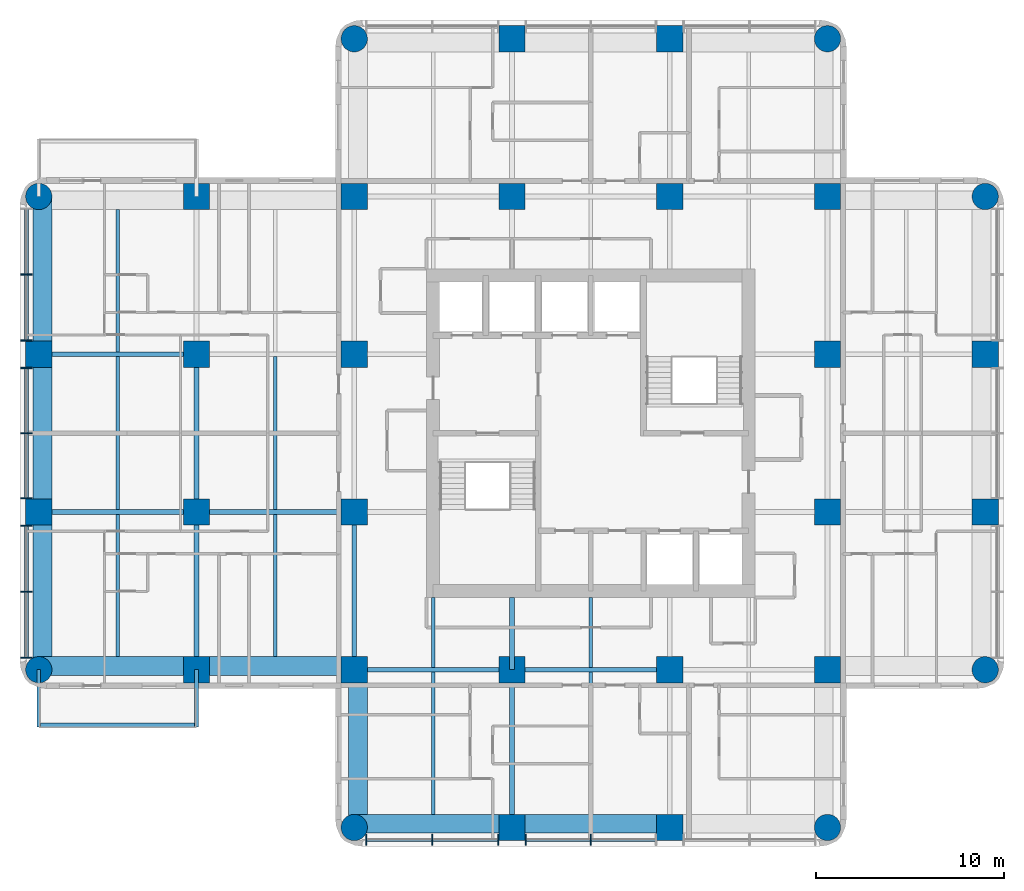
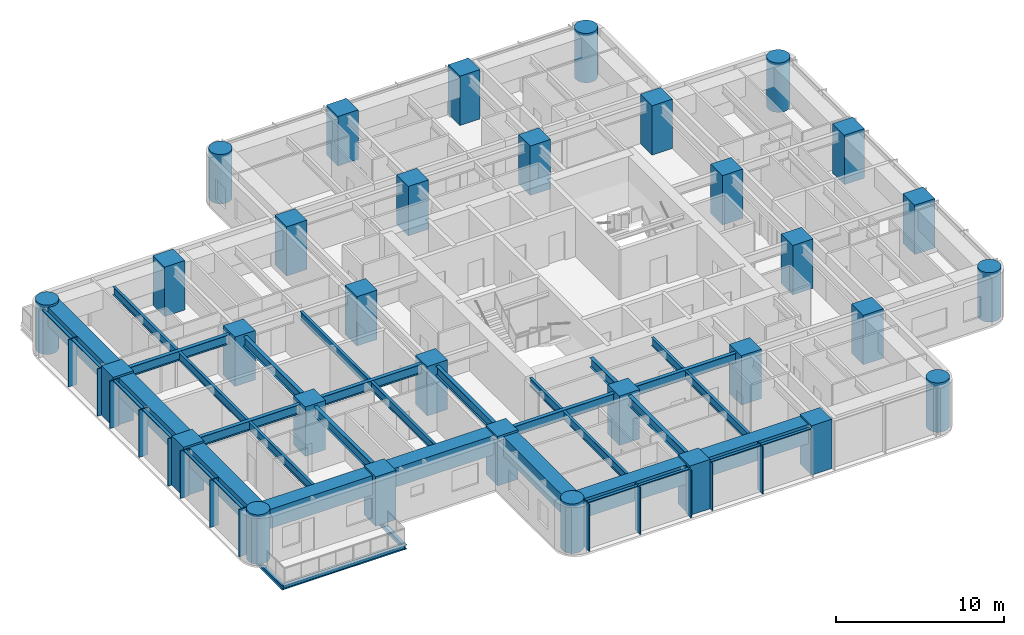
# One storey, part 1 of 11: 32 columns, 30 beams, 23 members, 2 elements without a shape of their own.
"""IFC4 building model written with IfcOpenShell, lengths in metres."""

from ifc_helpers import new_model, si_unit, direction, frame, origin, origin_2d, place, context, subcontext, project, spatial, rectangle, circle, i_section, extrude, material, material_profile, profile_set, type_object, element, aggregate, save


model = new_model("IFC4")

# Units and contexts
model_context = context("Model", 3, precision=1e-05, world=origin(), true_north=direction((0.0, 1.0)))
body_context = subcontext(model_context, "Body", "Model", "MODEL_VIEW")
ifc_project = project(units=[si_unit("LENGTHUNIT", "METRE"), si_unit("AREAUNIT", "SQUARE_METRE"), si_unit("VOLUMEUNIT", "CUBIC_METRE"), si_unit("PLANEANGLEUNIT", "RADIAN"), si_unit("MASSUNIT", "GRAM", prefix="KILO")], contexts=[model_context])

# Site, building, storey
site_placement = place(None, origin())
site = spatial("IfcSite", under=ifc_project, at=site_placement, CompositionType="ELEMENT")
building_placement = place(site_placement, origin())
building = spatial("IfcBuilding", under=site, at=building_placement, Name="Torre Alcanfor", CompositionType="ELEMENT")
storey_placement = place(building_placement, frame((0.0, 0.0, 201.300048828125)))
storey = spatial("IfcBuildingStorey", under=building, at=storey_placement, Name="L52", CompositionType="ELEMENT", Elevation=201.300048828125)

# Columns
ifc_material_1 = material(Name="Concrete f'c 70 MPa", Category="concrete")
ifc_material_profile_1 = material_profile(ifc_material_1, rectangle(XDim=1.39990234375, YDim=1.39990234375, at=origin_2d()), Name="1400x1400")
ifc_profile_set_1 = profile_set([ifc_material_profile_1], Name="Concrete f'c 70 MPa")
column_type_1 = type_object("IfcColumnType", Name="RC column 1400x1400 f'c70", PredefinedType="COLUMN", material=ifc_profile_set_1)
for number, where, z_axis, x_axis, name in (
    (1, (0.0, 25.199951171875, 0.0), (0.0, 0.0, 1.0), (1.0, 0.0, 0.0), "Column 1/F L52"),
    (2, (0.0, 33.60009765625, 0.0), (0.0, 0.0, 1.0), (1.0, 0.0, 0.0), "Column 1/G L52"),
    (3, (8.39990234375, 16.800048828125, 0.0), (0.0, 0.0, 1.0), (1.0, 0.0, 0.0), "Column 2/E L52"),
    (4, (8.39990234375, 25.199951171875, 0.0), (0.0, 0.0, 1.0), (1.0, 0.0, 0.0), "Column 2/F L52"),
    (5, (8.39990234375, 33.60009765625, 0.0), (0.0, 0.0, 1.0), (1.0, 0.0, 0.0), "Column 2/G L52"),
    (6, (8.39990234375, 42.0, 0.0), (0.0, 0.0, 1.0), (1.0, 0.0, 0.0), "Column 2/H L52"),
    (7, (16.800048828125, 16.800048828125, 0.0), (0.0, 0.0, 1.0), (1.0, 0.0, 0.0), "Column 3/E L52"),
    (8, (16.800048828125, 25.199951171875, 0.0), (0.0, 0.0, 1.0), (1.0, 0.0, 0.0), "Column 3/F L52"),
    (9, (16.800048828125, 33.60009765625, 0.0), (0.0, 0.0, 1.0), (1.0, 0.0, 0.0), "Column 3/G L52"),
    (10, (16.800048828125, 42.0, 0.0), (0.0, 0.0, 1.0), (1.0, 0.0, 0.0), "Column 3/H L52"),
    (11, (25.199951171875, 8.39990234375, 0.0), (0.0, 0.0, 1.0), (1.0, 0.0, 0.0), "Column 4/D L52"),
    (12, (25.199951171875, 16.800048828125, 0.0), (0.0, 0.0, 1.0), (1.0, 0.0, 0.0), "Column 4/E L52"),
    (13, (25.199951171875, 42.0, 0.0), (0.0, 0.0, 1.0), (1.0, 0.0, 0.0), "Column 4/H L52"),
    (14, (25.199951171875, 50.39990234375, 0.0), (0.0, 0.0, 1.0), (1.0, 0.0, 0.0), "Column 4/J L52"),
    (15, (33.60009765625, 8.39990234375, 0.0), (0.0, 0.0, 1.0), (1.0, 0.0, 0.0), "Column 5/D L52"),
    (16, (33.60009765625, 16.800048828125, 0.0), (0.0, 0.0, 1.0), (1.0, 0.0, 0.0), "Column 5/E L52"),
    (17, (33.60009765625, 42.0, 0.0), (0.0, 0.0, 1.0), (1.0, 0.0, 0.0), "Column 5/H L52"),
    (18, (33.60009765625, 50.39990234375, 0.0), (0.0, 0.0, 1.0), (1.0, 0.0, 0.0), "Column 5/J L52"),
    (19, (42.0, 16.800048828125, 0.0), (0.0, 0.0, 1.0), (1.0, 0.0, 0.0), "Column 6/E L52"),
    (20, (42.0, 25.199951171875, 0.0), (0.0, 0.0, 1.0), (1.0, 0.0, 0.0), "Column 6/F L52"),
    (21, (42.0, 33.60009765625, 0.0), (0.0, 0.0, 1.0), (1.0, 0.0, 0.0), "Column 6/G L52"),
    (22, (42.0, 42.0, 0.0), (0.0, 0.0, 1.0), (1.0, 0.0, 0.0), "Column 6/H L52"),
    (23, (50.39990234375, 25.199951171875, 0.0), (0.0, 0.0, 1.0), (1.0, 0.0, 0.0), "Column 7/F L52"),
    (24, (50.39990234375, 33.60009765625, 0.0), (0.0, 0.0, 1.0), (1.0, 0.0, 0.0), "Column 7/G L52"),
):
    element("IfcColumn", number, at=place(storey_placement, frame(where, z_axis=z_axis, x_axis=x_axis)), inside=storey, type_object=column_type_1, Name=name, PredefinedType="COLUMN", context=body_context, shape_type="SweptSolid", body=[
        extrude(rectangle(XDim=1.39990234375, YDim=1.39990234375, at=origin_2d()), origin(), (0.0, 0.0, 1.0), 3.599853515625),
    ])
ifc_material_2 = material(Name="Concrete f'c 70 MPa", Category="concrete")
ifc_material_profile_2 = material_profile(ifc_material_2, circle(Radius=0.699951171875, at=origin_2d()), Name="D1400")
ifc_profile_set_2 = profile_set([ifc_material_profile_2], Name="Concrete f'c 70 MPa")
column_type_2 = type_object("IfcColumnType", Name="RC column D1400 f'c70", PredefinedType="COLUMN", material=ifc_profile_set_2)
for number, where, z_axis, x_axis, name in (
    (25, (0.0, 16.800048828125, 0.0), (0.0, 0.0, 1.0), (1.0, 0.0, 0.0), "Column 1/E L52"),
    (26, (0.0, 42.0, 0.0), (0.0, 0.0, 1.0), (1.0, 0.0, 0.0), "Column 1/H L52"),
    (27, (16.800048828125, 8.39990234375, 0.0), (0.0, 0.0, 1.0), (1.0, 0.0, 0.0), "Column 3/D L52"),
    (28, (16.800048828125, 50.39990234375, 0.0), (0.0, 0.0, 1.0), (1.0, 0.0, 0.0), "Column 3/J L52"),
    (29, (42.0, 8.39990234375, 0.0), (0.0, 0.0, 1.0), (1.0, 0.0, 0.0), "Column 6/D L52"),
    (30, (42.0, 50.39990234375, 0.0), (0.0, 0.0, 1.0), (1.0, 0.0, 0.0), "Column 6/J L52"),
    (31, (50.39990234375, 16.800048828125, 0.0), (0.0, 0.0, 1.0), (1.0, 0.0, 0.0), "Column 7/E L52"),
    (32, (50.39990234375, 42.0, 0.0), (0.0, 0.0, 1.0), (1.0, 0.0, 0.0), "Column 7/H L52"),
):
    element("IfcColumn", number, at=place(storey_placement, frame(where, z_axis=z_axis, x_axis=x_axis)), inside=storey, type_object=column_type_2, Name=name, PredefinedType="COLUMN", context=body_context, shape_type="SweptSolid", body=[
        extrude(circle(Radius=0.699951171875, at=origin_2d()), origin(), (0.0, 0.0, 1.0), 3.599853515625),
    ])

# Beams
ifc_material_3 = material(Name="Steel ASTM A992 Grade 50", Category="steel")
ifc_material_profile_3 = material_profile(ifc_material_3, i_section(OverallWidth=0.205322265625, OverallDepth=0.309814453125, WebThickness=0.00927734375, FlangeThickness=0.016357421875, at=origin_2d()), Name="W12x50")
ifc_profile_set_3 = profile_set([ifc_material_profile_3], Name="Steel ASTM A992 Grade 50")
beam_type_1 = type_object("IfcBeamType", Name="Balcony cantilever beam W12x50", PredefinedType="BEAM", material=ifc_profile_set_3)
for number, where, z_axis, x_axis, name in (
    (33, (8.39990234375, 16.800048828125, -0.35498046875), (0.0, -1.0, 0.0), (1.0, 0.0, 0.0), "Balcony cantilever beam L52-W1 1"),
    (34, (0.0, 16.800048828125, -0.35498046875), (0.0, -1.0, 0.0), (1.0, 0.0, 0.0), "Balcony cantilever beam L52-W1 2"),
):
    element("IfcBeam", number, at=place(storey_placement, frame(where, z_axis=z_axis, x_axis=x_axis)), inside=storey, type_object=beam_type_1, Name=name, PredefinedType="BEAM", context=body_context, shape_type="SweptSolid", body=[
        extrude(i_section(OverallWidth=0.205322265625, OverallDepth=0.309814453125, WebThickness=0.00927734375, FlangeThickness=0.016357421875, at=origin_2d()), origin(), (0.0, 0.0, 1.0), 3.050048828125),
    ])
ifc_material_4 = material(Name="Steel ASTM A992 Grade 50", Category="steel")
ifc_material_profile_4 = material_profile(ifc_material_4, i_section(OverallWidth=0.203369140625, OverallDepth=0.30224609375, WebThickness=0.007568359375, FlangeThickness=0.01318359375, at=origin_2d()), Name="W12x40")
ifc_profile_set_4 = profile_set([ifc_material_profile_4], Name="Steel ASTM A992 Grade 50")
beam_type_2 = type_object("IfcBeamType", Name="Balcony edge trimmer W12x40", PredefinedType="BEAM", material=ifc_profile_set_4)
beam_1_placement = place(storey_placement, frame((8.39990234375, 13.851806640625, -0.35107421875), z_axis=(-1.0, 0.0, 0.0), x_axis=(0.0, -1.0, 0.0)))
element("IfcBeam", 35, at=beam_1_placement, inside=storey, type_object=beam_type_2, Name="Balcony edge trimmer L52-W1", PredefinedType="BEAM", context=body_context, shape_type="SweptSolid", body=[
    extrude(i_section(OverallWidth=0.203369140625, OverallDepth=0.30224609375, WebThickness=0.007568359375, FlangeThickness=0.01318359375, at=origin_2d()), origin(), (0.0, 0.0, 1.0), 8.39990234375),
])

# Curtain wall, members
ifc_material_5 = material(Name="Aluminium and glass", Category="aluminium")
curtain_wall_type = type_object("IfcCurtainWallType", Name="CW-A unitised apartment glazing with vertical FIN", PredefinedType="NOTDEFINED", material=ifc_material_5)
curtain_wall_1_placement = place(storey_placement, origin())
curtain_wall_1 = element("IfcCurtainWall", 36, at=curtain_wall_1_placement, inside=storey, type_object=curtain_wall_type, Name="Curtain wall CW-A L52 2", PredefinedType="NOTDEFINED")
ifc_material_6 = material(Name="Bronze anodised aluminium", Category="aluminium")
ifc_material_profile_5 = material_profile(ifc_material_6, rectangle(XDim=0.60009765625, YDim=0.06494140625, at=origin_2d()), Name="CW-A mullion 65x600")
ifc_profile_set_5 = profile_set([ifc_material_profile_5], Name="Bronze anodised aluminium")
member_type_1 = type_object("IfcMemberType", Name="CW-A mullion with vertical FIN 65x600", PredefinedType="MULLION", material=ifc_profile_set_5)
member_1_placement = place(storey_placement, frame((-0.64990234375, 37.846435546875, 0.0), z_axis=(0.0, 0.0, 1.0), x_axis=(1.0, 0.0, 0.0)))
member_1 = element("IfcMember", 37, at=member_1_placement, type_object=member_type_1, Name="CW-A mullion 1.2", PredefinedType="MULLION", context=body_context, shape_type="SweptSolid", body=[
    extrude(rectangle(XDim=0.60009765625, YDim=0.06494140625, at=origin_2d()), origin(), (0.0, 0.0, 1.0), 3.449951171875),
])
member_2_placement = place(storey_placement, frame((-0.64990234375, 34.33740234375, 0.0), z_axis=(0.0, 0.0, 1.0), x_axis=(1.0, 0.0, 0.0)))
member_2 = element("IfcMember", 38, at=member_2_placement, type_object=member_type_1, Name="CW-A mullion 1.3", PredefinedType="MULLION", context=body_context, shape_type="SweptSolid", body=[
    extrude(rectangle(XDim=0.60009765625, YDim=0.06494140625, at=origin_2d()), origin(), (0.0, 0.0, 1.0), 3.449951171875),
])
member_3_placement = place(storey_placement, frame((-0.64990234375, 32.862548828125, 0.0), z_axis=(0.0, 0.0, 1.0), x_axis=(1.0, 0.0, 0.0)))
member_3 = element("IfcMember", 39, at=member_3_placement, type_object=member_type_1, Name="CW-A mullion 2.1", PredefinedType="MULLION", context=body_context, shape_type="SweptSolid", body=[
    extrude(rectangle(XDim=0.60009765625, YDim=0.06494140625, at=origin_2d()), origin(), (0.0, 0.0, 1.0), 3.449951171875),
])
member_4_placement = place(storey_placement, frame((-0.64990234375, 29.39990234375, 0.0), z_axis=(0.0, 0.0, 1.0), x_axis=(1.0, 0.0, 0.0)))
member_4 = element("IfcMember", 40, at=member_4_placement, type_object=member_type_1, Name="CW-A mullion 2.2", PredefinedType="MULLION", context=body_context, shape_type="SweptSolid", body=[
    extrude(rectangle(XDim=0.60009765625, YDim=0.06494140625, at=origin_2d()), origin(), (0.0, 0.0, 1.0), 3.449951171875),
])
member_5_placement = place(storey_placement, frame((-0.64990234375, 25.9375, 0.0), z_axis=(0.0, 0.0, 1.0), x_axis=(1.0, 0.0, 0.0)))
member_5 = element("IfcMember", 41, at=member_5_placement, type_object=member_type_1, Name="CW-A mullion 2.3", PredefinedType="MULLION", context=body_context, shape_type="SweptSolid", body=[
    extrude(rectangle(XDim=0.60009765625, YDim=0.06494140625, at=origin_2d()), origin(), (0.0, 0.0, 1.0), 3.449951171875),
])
member_6_placement = place(storey_placement, frame((-0.64990234375, 24.46240234375, 0.0), z_axis=(0.0, 0.0, 1.0), x_axis=(1.0, 0.0, 0.0)))
member_6 = element("IfcMember", 42, at=member_6_placement, type_object=member_type_1, Name="CW-A mullion 3.1", PredefinedType="MULLION", context=body_context, shape_type="SweptSolid", body=[
    extrude(rectangle(XDim=0.60009765625, YDim=0.06494140625, at=origin_2d()), origin(), (0.0, 0.0, 1.0), 3.449951171875),
])
member_7_placement = place(storey_placement, frame((-0.64990234375, 20.95361328125, 0.0), z_axis=(0.0, 0.0, 1.0), x_axis=(1.0, 0.0, 0.0)))
member_7 = element("IfcMember", 43, at=member_7_placement, type_object=member_type_1, Name="CW-A mullion 3.2", PredefinedType="MULLION", context=body_context, shape_type="SweptSolid", body=[
    extrude(rectangle(XDim=0.60009765625, YDim=0.06494140625, at=origin_2d()), origin(), (0.0, 0.0, 1.0), 3.449951171875),
])
member_8_placement = place(storey_placement, frame((-0.64990234375, 17.444580078125, 0.0), z_axis=(0.0, 0.0, 1.0), x_axis=(1.0, 0.0, 0.0)))
member_8 = element("IfcMember", 44, at=member_8_placement, type_object=member_type_1, Name="CW-A mullion 3.3", PredefinedType="MULLION", context=body_context, shape_type="SweptSolid", body=[
    extrude(rectangle(XDim=0.60009765625, YDim=0.06494140625, at=origin_2d()), origin(), (0.0, 0.0, 1.0), 3.449951171875),
])

curtain_wall_2_placement = place(storey_placement, origin())
curtain_wall_2 = element("IfcCurtainWall", 45, at=curtain_wall_2_placement, inside=storey, type_object=curtain_wall_type, Name="Curtain wall CW-A L52 5", PredefinedType="NOTDEFINED")
member_9_placement = place(storey_placement, frame((17.444580078125, 7.75, 0.0), z_axis=(0.0, 0.0, 1.0), x_axis=(0.0, 1.0, 0.0)))
member_9 = element("IfcMember", 46, at=member_9_placement, type_object=member_type_1, Name="CW-A mullion 1.1", PredefinedType="MULLION", context=body_context, shape_type="SweptSolid", body=[
    extrude(rectangle(XDim=0.60009765625, YDim=0.06494140625, at=origin_2d()), origin(), (0.0, 0.0, 1.0), 3.449951171875),
])
member_10_placement = place(storey_placement, frame((20.95361328125, 7.75, 0.0), z_axis=(0.0, 0.0, 1.0), x_axis=(0.0, 1.0, 0.0)))
member_10 = element("IfcMember", 47, at=member_10_placement, type_object=member_type_1, Name="CW-A mullion 1.2", PredefinedType="MULLION", context=body_context, shape_type="SweptSolid", body=[
    extrude(rectangle(XDim=0.60009765625, YDim=0.06494140625, at=origin_2d()), origin(), (0.0, 0.0, 1.0), 3.449951171875),
])
member_11_placement = place(storey_placement, frame((24.46240234375, 7.75, 0.0), z_axis=(0.0, 0.0, 1.0), x_axis=(0.0, 1.0, 0.0)))
member_11 = element("IfcMember", 48, at=member_11_placement, type_object=member_type_1, Name="CW-A mullion 1.3", PredefinedType="MULLION", context=body_context, shape_type="SweptSolid", body=[
    extrude(rectangle(XDim=0.60009765625, YDim=0.06494140625, at=origin_2d()), origin(), (0.0, 0.0, 1.0), 3.449951171875),
])
member_12_placement = place(storey_placement, frame((25.9375, 7.75, 0.0), z_axis=(0.0, 0.0, 1.0), x_axis=(0.0, 1.0, 0.0)))
member_12 = element("IfcMember", 49, at=member_12_placement, type_object=member_type_1, Name="CW-A mullion 2.1", PredefinedType="MULLION", context=body_context, shape_type="SweptSolid", body=[
    extrude(rectangle(XDim=0.60009765625, YDim=0.06494140625, at=origin_2d()), origin(), (0.0, 0.0, 1.0), 3.449951171875),
])
member_13_placement = place(storey_placement, frame((29.39990234375, 7.75, 0.0), z_axis=(0.0, 0.0, 1.0), x_axis=(0.0, 1.0, 0.0)))
member_13 = element("IfcMember", 50, at=member_13_placement, type_object=member_type_1, Name="CW-A mullion 2.2", PredefinedType="MULLION", context=body_context, shape_type="SweptSolid", body=[
    extrude(rectangle(XDim=0.60009765625, YDim=0.06494140625, at=origin_2d()), origin(), (0.0, 0.0, 1.0), 3.449951171875),
])

# Member
ifc_material_7 = material(Name="Extruded aluminium", Category="aluminium")
ifc_material_profile_6 = material_profile(ifc_material_7, rectangle(XDim=0.199951171875, YDim=0.06494140625, at=origin_2d()), Name="CW-A transom 200x65")
ifc_profile_set_6 = profile_set([ifc_material_profile_6], Name="Extruded aluminium")
member_type_2 = type_object("IfcMemberType", Name="CW-A transom 65x200", PredefinedType="USERDEFINED", material=ifc_profile_set_6)
member_14_placement = place(storey_placement, frame((-0.64990234375, 41.322998046875, 3.41748046875), z_axis=(0.0, -1.0, 0.0), x_axis=(1.0, 0.0, 0.0)))
member_14 = element("IfcMember", 51, at=member_14_placement, type_object=member_type_2, Name="CW-A transom 1.1.2", ObjectType="TRANSOM", PredefinedType="USERDEFINED", context=body_context, shape_type="SweptSolid", body=[
    extrude(rectangle(XDim=0.199951171875, YDim=0.06494140625, at=origin_2d()), origin(), (0.0, 0.0, 1.0), 3.444091796875),
])

member_15_placement = place(storey_placement, frame((-0.64990234375, 37.81396484375, 3.41748046875), z_axis=(0.0, -1.0, 0.0), x_axis=(1.0, 0.0, 0.0)))
member_15 = element("IfcMember", 52, at=member_15_placement, type_object=member_type_2, Name="CW-A transom 1.2.2", ObjectType="TRANSOM", PredefinedType="USERDEFINED", context=body_context, shape_type="SweptSolid", body=[
    extrude(rectangle(XDim=0.199951171875, YDim=0.06494140625, at=origin_2d()), origin(), (0.0, 0.0, 1.0), 3.44384765625),
])

member_16_placement = place(storey_placement, frame((-0.64990234375, 32.830078125, 3.41748046875), z_axis=(0.0, -1.0, 0.0), x_axis=(1.0, 0.0, 0.0)))
member_16 = element("IfcMember", 53, at=member_16_placement, type_object=member_type_2, Name="CW-A transom 2.1.2", ObjectType="TRANSOM", PredefinedType="USERDEFINED", context=body_context, shape_type="SweptSolid", body=[
    extrude(rectangle(XDim=0.199951171875, YDim=0.06494140625, at=origin_2d()), origin(), (0.0, 0.0, 1.0), 3.3974609375),
])

member_17_placement = place(storey_placement, frame((-0.64990234375, 29.367431640625, 3.41748046875), z_axis=(0.0, -1.0, 0.0), x_axis=(1.0, 0.0, 0.0)))
member_17 = element("IfcMember", 54, at=member_17_placement, type_object=member_type_2, Name="CW-A transom 2.2.2", ObjectType="TRANSOM", PredefinedType="USERDEFINED", context=body_context, shape_type="SweptSolid", body=[
    extrude(rectangle(XDim=0.199951171875, YDim=0.06494140625, at=origin_2d()), origin(), (0.0, 0.0, 1.0), 3.3974609375),
])

member_18_placement = place(storey_placement, frame((-0.64990234375, 24.429931640625, 3.41748046875), z_axis=(0.0, -1.0, 0.0), x_axis=(1.0, 0.0, 0.0)))
member_18 = element("IfcMember", 55, at=member_18_placement, type_object=member_type_2, Name="CW-A transom 3.1.2", ObjectType="TRANSOM", PredefinedType="USERDEFINED", context=body_context, shape_type="SweptSolid", body=[
    extrude(rectangle(XDim=0.199951171875, YDim=0.06494140625, at=origin_2d()), origin(), (0.0, 0.0, 1.0), 3.44384765625),
])

member_19_placement = place(storey_placement, frame((-0.64990234375, 20.9208984375, 3.41748046875), z_axis=(0.0, -1.0, 0.0), x_axis=(1.0, 0.0, 0.0)))
member_19 = element("IfcMember", 56, at=member_19_placement, type_object=member_type_2, Name="CW-A transom 3.2.2", ObjectType="TRANSOM", PredefinedType="USERDEFINED", context=body_context, shape_type="SweptSolid", body=[
    extrude(rectangle(XDim=0.199951171875, YDim=0.06494140625, at=origin_2d()), origin(), (0.0, 0.0, 1.0), 3.44384765625),
])

aggregate(curtain_wall_1, [member_1, member_2, member_14, member_15, member_3, member_4, member_5, member_16, member_17, member_6, member_7, member_8, member_18, member_19])

member_20_placement = place(storey_placement, frame((17.47705078125, 7.75, 3.41748046875), z_axis=(1.0, 0.0, 0.0), x_axis=(0.0, 1.0, 0.0)))
member_20 = element("IfcMember", 57, at=member_20_placement, type_object=member_type_2, Name="CW-A transom 1.1.2", ObjectType="TRANSOM", PredefinedType="USERDEFINED", context=body_context, shape_type="SweptSolid", body=[
    extrude(rectangle(XDim=0.199951171875, YDim=0.06494140625, at=origin_2d()), origin(), (0.0, 0.0, 1.0), 3.44384765625),
])

member_21_placement = place(storey_placement, frame((20.986083984375, 7.75, 3.41748046875), z_axis=(1.0, 0.0, 0.0), x_axis=(0.0, 1.0, 0.0)))
member_21 = element("IfcMember", 58, at=member_21_placement, type_object=member_type_2, Name="CW-A transom 1.2.2", ObjectType="TRANSOM", PredefinedType="USERDEFINED", context=body_context, shape_type="SweptSolid", body=[
    extrude(rectangle(XDim=0.199951171875, YDim=0.06494140625, at=origin_2d()), origin(), (0.0, 0.0, 1.0), 3.44384765625),
])

member_22_placement = place(storey_placement, frame((25.969970703125, 7.75, 3.41748046875), z_axis=(1.0, 0.0, 0.0), x_axis=(0.0, 1.0, 0.0)))
member_22 = element("IfcMember", 59, at=member_22_placement, type_object=member_type_2, Name="CW-A transom 2.1.2", ObjectType="TRANSOM", PredefinedType="USERDEFINED", context=body_context, shape_type="SweptSolid", body=[
    extrude(rectangle(XDim=0.199951171875, YDim=0.06494140625, at=origin_2d()), origin(), (0.0, 0.0, 1.0), 3.3974609375),
])

member_23_placement = place(storey_placement, frame((29.4326171875, 7.75, 3.41748046875), z_axis=(1.0, 0.0, 0.0), x_axis=(0.0, 1.0, 0.0)))
member_23 = element("IfcMember", 60, at=member_23_placement, type_object=member_type_2, Name="CW-A transom 2.2.2", ObjectType="TRANSOM", PredefinedType="USERDEFINED", context=body_context, shape_type="SweptSolid", body=[
    extrude(rectangle(XDim=0.199951171875, YDim=0.06494140625, at=origin_2d()), origin(), (0.0, 0.0, 1.0), 3.3974609375),
])

aggregate(curtain_wall_2, [member_9, member_10, member_11, member_20, member_21, member_12, member_13, member_22, member_23])

# Beams
ifc_material_8 = material(Name="Steel ASTM A992 Grade 50", Category="steel")
ifc_material_profile_7 = material_profile(ifc_material_8, i_section(OverallWidth=0.25390625, OverallDepth=0.683349609375, WebThickness=0.012451171875, FlangeThickness=0.01904296875, at=origin_2d()), Name="W27x94")
ifc_profile_set_7 = profile_set([ifc_material_profile_7], Name="Steel ASTM A992 Grade 50")
beam_type_3 = type_object("IfcBeamType", Name="Girder W27x94", PredefinedType="BEAM", material=ifc_profile_set_7)
beam_2_placement = place(storey_placement, frame((16.800048828125, 16.800048828125, 3.1083984375), z_axis=(1.0, 0.0, 0.0), x_axis=(0.0, 1.0, 0.0)))
element("IfcBeam", 61, at=beam_2_placement, inside=storey, type_object=beam_type_3, Name="Beam 3E-4E under L53", PredefinedType="BEAM", context=body_context, shape_type="SweptSolid", body=[
    extrude(i_section(OverallWidth=0.25390625, OverallDepth=0.683349609375, WebThickness=0.012451171875, FlangeThickness=0.01904296875, at=origin_2d()), origin(), (0.0, 0.0, 1.0), 8.39990234375),
])
beam_3_placement = place(storey_placement, frame((25.199951171875, 16.800048828125, 3.1083984375), z_axis=(1.0, 0.0, 0.0), x_axis=(0.0, 1.0, 0.0)))
element("IfcBeam", 62, at=beam_3_placement, inside=storey, type_object=beam_type_3, Name="Beam 4E-5E under L53", PredefinedType="BEAM", context=body_context, shape_type="SweptSolid", body=[
    extrude(i_section(OverallWidth=0.25390625, OverallDepth=0.683349609375, WebThickness=0.012451171875, FlangeThickness=0.01904296875, at=origin_2d()), origin(), (0.0, 0.0, 1.0), 8.400146484375),
])
beam_4_placement = place(storey_placement, frame((0.0, 25.199951171875, 3.1083984375), z_axis=(1.0, 0.0, 0.0), x_axis=(0.0, 1.0, 0.0)))
element("IfcBeam", 63, at=beam_4_placement, inside=storey, type_object=beam_type_3, Name="Beam 1F-2F under L53", PredefinedType="BEAM", context=body_context, shape_type="SweptSolid", body=[
    extrude(i_section(OverallWidth=0.25390625, OverallDepth=0.683349609375, WebThickness=0.012451171875, FlangeThickness=0.01904296875, at=origin_2d()), origin(), (0.0, 0.0, 1.0), 8.39990234375),
])
beam_5_placement = place(storey_placement, frame((8.39990234375, 25.199951171875, 3.1083984375), z_axis=(1.0, 0.0, 0.0), x_axis=(0.0, 1.0, 0.0)))
element("IfcBeam", 64, at=beam_5_placement, inside=storey, type_object=beam_type_3, Name="Beam 2F-3F under L53", PredefinedType="BEAM", context=body_context, shape_type="SweptSolid", body=[
    extrude(i_section(OverallWidth=0.25390625, OverallDepth=0.683349609375, WebThickness=0.012451171875, FlangeThickness=0.01904296875, at=origin_2d()), origin(), (0.0, 0.0, 1.0), 8.400146484375),
])
for number, where, z_axis, x_axis, name in (
    (65, (0.0, 33.60009765625, 3.1083984375), (1.0, 0.0, 0.0), (0.0, 1.0, 0.0), "Beam 1G-2G under L53"),
    (66, (8.39990234375, 16.800048828125, 3.1083984375), (0.0, 1.0, 0.0), (-1.0, 0.0, 0.0), "Beam 2E-2F under L53"),
):
    element("IfcBeam", number, at=place(storey_placement, frame(where, z_axis=z_axis, x_axis=x_axis)), inside=storey, type_object=beam_type_3, Name=name, PredefinedType="BEAM", context=body_context, shape_type="SweptSolid", body=[
        extrude(i_section(OverallWidth=0.25390625, OverallDepth=0.683349609375, WebThickness=0.012451171875, FlangeThickness=0.01904296875, at=origin_2d()), origin(), (0.0, 0.0, 1.0), 8.39990234375),
    ])
beam_6_placement = place(storey_placement, frame((8.39990234375, 25.199951171875, 3.1083984375), z_axis=(0.0, 1.0, 0.0), x_axis=(-1.0, 0.0, 0.0)))
element("IfcBeam", 67, at=beam_6_placement, inside=storey, type_object=beam_type_3, Name="Beam 2F-2G under L53", PredefinedType="BEAM", context=body_context, shape_type="SweptSolid", body=[
    extrude(i_section(OverallWidth=0.25390625, OverallDepth=0.683349609375, WebThickness=0.012451171875, FlangeThickness=0.01904296875, at=origin_2d()), origin(), (0.0, 0.0, 1.0), 8.400146484375),
])
beam_7_placement = place(storey_placement, frame((16.800048828125, 16.800048828125, 3.1083984375), z_axis=(0.0, 1.0, 0.0), x_axis=(-1.0, 0.0, 0.0)))
element("IfcBeam", 68, at=beam_7_placement, inside=storey, type_object=beam_type_3, Name="Beam 3E-3F under L53", PredefinedType="BEAM", context=body_context, shape_type="SweptSolid", body=[
    extrude(i_section(OverallWidth=0.25390625, OverallDepth=0.683349609375, WebThickness=0.012451171875, FlangeThickness=0.01904296875, at=origin_2d()), origin(), (0.0, 0.0, 1.0), 8.39990234375),
])
beam_8_placement = place(storey_placement, frame((25.199951171875, 8.39990234375, 3.1083984375), z_axis=(0.0, 1.0, 0.0), x_axis=(-1.0, 0.0, 0.0)))
element("IfcBeam", 69, at=beam_8_placement, inside=storey, type_object=beam_type_3, Name="Beam 4D-4E under L53", PredefinedType="BEAM", context=body_context, shape_type="SweptSolid", body=[
    extrude(i_section(OverallWidth=0.25390625, OverallDepth=0.683349609375, WebThickness=0.012451171875, FlangeThickness=0.01904296875, at=origin_2d()), origin(), (0.0, 0.0, 1.0), 8.400146484375),
])
ifc_material_9 = material(Name="Steel ASTM A992 Grade 50", Category="steel")
ifc_material_profile_8 = material_profile(ifc_material_9, i_section(OverallWidth=0.25390625, OverallDepth=0.683349609375, WebThickness=0.012451171875, FlangeThickness=0.01904296875, at=origin_2d()), Name="W27x94")
ifc_profile_set_8 = profile_set([ifc_material_profile_8], Name="Steel ASTM A992 Grade 50")
beam_type_4 = type_object("IfcBeamType", Name="Girder, part bay W27x94", PredefinedType="BEAM", material=ifc_profile_set_8)
beam_9_placement = place(storey_placement, frame((25.199951171875, 16.800048828125, 3.1083984375), z_axis=(0.0, 1.0, 0.0), x_axis=(-1.0, 0.0, 0.0)))
element("IfcBeam", 70, at=beam_9_placement, inside=storey, type_object=beam_type_4, Name="Beam 4E-420_65 under L53", PredefinedType="BEAM", context=body_context, shape_type="SweptSolid", body=[
    extrude(i_section(OverallWidth=0.25390625, OverallDepth=0.683349609375, WebThickness=0.012451171875, FlangeThickness=0.01904296875, at=origin_2d()), origin(), (0.0, 0.0, 1.0), 3.849853515625),
])
ifc_material_10 = material(Name="Concrete f'c 70 MPa", Category="concrete")
ifc_material_profile_9 = material_profile(ifc_material_10, rectangle(XDim=1.0, YDim=1.39990234375, at=origin_2d()), Name="1000x1400")
ifc_profile_set_9 = profile_set([ifc_material_profile_9], Name="Concrete f'c 70 MPa")
beam_type_5 = type_object("IfcBeamType", Name="RC perimeter beam 1000x1400", PredefinedType="BEAM", material=ifc_profile_set_9)
beam_10_placement = place(storey_placement, frame((16.800048828125, 8.60009765625, 2.75), z_axis=(1.0, 0.0, 0.0), x_axis=(0.0, 1.0, 0.0)))
element("IfcBeam", 71, at=beam_10_placement, inside=storey, type_object=beam_type_5, Name="Beam 3D-4D under L53", PredefinedType="BEAM", context=body_context, shape_type="SweptSolid", body=[
    extrude(rectangle(XDim=1.0, YDim=1.39990234375, at=origin_2d()), origin(), (0.0, 0.0, 1.0), 8.27294921875),
])
beam_11_placement = place(storey_placement, frame((25.326904296875, 8.60009765625, 2.75), z_axis=(1.0, 0.0, 0.0), x_axis=(0.0, 1.0, 0.0)))
element("IfcBeam", 72, at=beam_11_placement, inside=storey, type_object=beam_type_5, Name="Beam 4D-5D under L53", PredefinedType="BEAM", context=body_context, shape_type="SweptSolid", body=[
    extrude(rectangle(XDim=1.0, YDim=1.39990234375, at=origin_2d()), origin(), (0.0, 0.0, 1.0), 8.14599609375),
])
beam_12_placement = place(storey_placement, frame((0.0, 17.0, 2.75), z_axis=(1.0, 0.0, 0.0), x_axis=(0.0, 1.0, 0.0)))
element("IfcBeam", 73, at=beam_12_placement, inside=storey, type_object=beam_type_5, Name="Beam 1E-2E under L53", PredefinedType="BEAM", context=body_context, shape_type="SweptSolid", body=[
    extrude(rectangle(XDim=1.0, YDim=1.39990234375, at=origin_2d()), origin(), (0.0, 0.0, 1.0), 8.27294921875),
])
beam_13_placement = place(storey_placement, frame((8.527099609375, 17.0, 2.75), z_axis=(1.0, 0.0, 0.0), x_axis=(0.0, 1.0, 0.0)))
element("IfcBeam", 74, at=beam_13_placement, inside=storey, type_object=beam_type_5, Name="Beam 2E-3E under L53", PredefinedType="BEAM", context=body_context, shape_type="SweptSolid", body=[
    extrude(rectangle(XDim=1.0, YDim=1.39990234375, at=origin_2d()), origin(), (0.0, 0.0, 1.0), 8.14599609375),
])
beam_14_placement = place(storey_placement, frame((0.199951171875, 16.800048828125, 2.75), z_axis=(0.0, 1.0, 0.0), x_axis=(-1.0, 0.0, 0.0)))
element("IfcBeam", 75, at=beam_14_placement, inside=storey, type_object=beam_type_5, Name="Beam 1E-1F under L53", PredefinedType="BEAM", context=body_context, shape_type="SweptSolid", body=[
    extrude(rectangle(XDim=1.0, YDim=1.39990234375, at=origin_2d()), origin(), (0.0, 0.0, 1.0), 8.27294921875),
])
beam_15_placement = place(storey_placement, frame((0.199951171875, 25.326904296875, 2.75), z_axis=(0.0, 1.0, 0.0), x_axis=(-1.0, 0.0, 0.0)))
element("IfcBeam", 76, at=beam_15_placement, inside=storey, type_object=beam_type_5, Name="Beam 1F-1G under L53", PredefinedType="BEAM", context=body_context, shape_type="SweptSolid", body=[
    extrude(rectangle(XDim=1.0, YDim=1.39990234375, at=origin_2d()), origin(), (0.0, 0.0, 1.0), 8.14599609375),
])
beam_16_placement = place(storey_placement, frame((0.199951171875, 33.72705078125, 2.75), z_axis=(0.0, 1.0, 0.0), x_axis=(-1.0, 0.0, 0.0)))
element("IfcBeam", 77, at=beam_16_placement, inside=storey, type_object=beam_type_5, Name="Beam 1G-1H under L53", PredefinedType="BEAM", context=body_context, shape_type="SweptSolid", body=[
    extrude(rectangle(XDim=1.0, YDim=1.39990234375, at=origin_2d()), origin(), (0.0, 0.0, 1.0), 8.27294921875),
])
beam_17_placement = place(storey_placement, frame((17.0, 8.39990234375, 2.75), z_axis=(0.0, 1.0, 0.0), x_axis=(-1.0, 0.0, 0.0)))
element("IfcBeam", 78, at=beam_17_placement, inside=storey, type_object=beam_type_5, Name="Beam 3D-3E under L53", PredefinedType="BEAM", context=body_context, shape_type="SweptSolid", body=[
    extrude(rectangle(XDim=1.0, YDim=1.39990234375, at=origin_2d()), origin(), (0.0, 0.0, 1.0), 8.273193359375),
])
ifc_material_11 = material(Name="Steel ASTM A992 Grade 50", Category="steel")
ifc_material_profile_10 = material_profile(ifc_material_11, i_section(OverallWidth=0.1787109375, OverallDepth=0.60205078125, WebThickness=0.010986328125, FlangeThickness=0.014892578125, at=origin_2d()), Name="W24x62")
ifc_profile_set_10 = profile_set([ifc_material_profile_10], Name="Steel ASTM A992 Grade 50")
beam_type_6 = type_object("IfcBeamType", Name="Secondary beam W24x62", PredefinedType="BEAM", material=ifc_profile_set_10)
beam_18_placement = place(storey_placement, frame((4.199951171875, 17.5, 3.14892578125), z_axis=(0.0, 1.0, 0.0), x_axis=(-1.0, 0.0, 0.0)))
element("IfcBeam", 79, at=beam_18_placement, inside=storey, type_object=beam_type_6, Name="Beam 4_2E-4_2F under L53", PredefinedType="BEAM", context=body_context, shape_type="SweptSolid", body=[
    extrude(i_section(OverallWidth=0.1787109375, OverallDepth=0.60205078125, WebThickness=0.010986328125, FlangeThickness=0.014892578125, at=origin_2d()), origin(), (0.0, 0.0, 1.0), 7.572998046875),
])
beam_19_placement = place(storey_placement, frame((4.199951171875, 25.326904296875, 3.14892578125), z_axis=(0.0, 1.0, 0.0), x_axis=(-1.0, 0.0, 0.0)))
element("IfcBeam", 80, at=beam_19_placement, inside=storey, type_object=beam_type_6, Name="Beam 4_2F-4_2G under L53", PredefinedType="BEAM", context=body_context, shape_type="SweptSolid", body=[
    extrude(i_section(OverallWidth=0.1787109375, OverallDepth=0.60205078125, WebThickness=0.010986328125, FlangeThickness=0.014892578125, at=origin_2d()), origin(), (0.0, 0.0, 1.0), 8.14599609375),
])
for number, where, z_axis, x_axis, name in (
    (81, (4.199951171875, 33.72705078125, 3.14892578125), (0.0, 1.0, 0.0), (-1.0, 0.0, 0.0), "Beam 4_2G-4_2H under L53"),
    (82, (12.60009765625, 17.5, 3.14892578125), (0.0, 1.0, 0.0), (-1.0, 0.0, 0.0), "Beam 12_6E-12_6F under L53"),
):
    element("IfcBeam", number, at=place(storey_placement, frame(where, z_axis=z_axis, x_axis=x_axis)), inside=storey, type_object=beam_type_6, Name=name, PredefinedType="BEAM", context=body_context, shape_type="SweptSolid", body=[
        extrude(i_section(OverallWidth=0.1787109375, OverallDepth=0.60205078125, WebThickness=0.010986328125, FlangeThickness=0.014892578125, at=origin_2d()), origin(), (0.0, 0.0, 1.0), 7.572998046875),
    ])
beam_20_placement = place(storey_placement, frame((12.60009765625, 25.326904296875, 3.14892578125), z_axis=(0.0, 1.0, 0.0), x_axis=(-1.0, 0.0, 0.0)))
element("IfcBeam", 83, at=beam_20_placement, inside=storey, type_object=beam_type_6, Name="Beam 12_6F-12_6G under L53", PredefinedType="BEAM", context=body_context, shape_type="SweptSolid", body=[
    extrude(i_section(OverallWidth=0.1787109375, OverallDepth=0.60205078125, WebThickness=0.010986328125, FlangeThickness=0.014892578125, at=origin_2d()), origin(), (0.0, 0.0, 1.0), 8.14599609375),
])
for number, where, z_axis, x_axis, name in (
    (84, (21.0, 9.10009765625, 3.14892578125), (0.0, 1.0, 0.0), (-1.0, 0.0, 0.0), "Beam 21D-21E under L53"),
    (85, (29.39990234375, 9.10009765625, 3.14892578125), (0.0, 1.0, 0.0), (-1.0, 0.0, 0.0), "Beam 29_4D-29_4E under L53"),
):
    element("IfcBeam", number, at=place(storey_placement, frame(where, z_axis=z_axis, x_axis=x_axis)), inside=storey, type_object=beam_type_6, Name=name, PredefinedType="BEAM", context=body_context, shape_type="SweptSolid", body=[
        extrude(i_section(OverallWidth=0.1787109375, OverallDepth=0.60205078125, WebThickness=0.010986328125, FlangeThickness=0.014892578125, at=origin_2d()), origin(), (0.0, 0.0, 1.0), 7.572998046875),
    ])
ifc_material_12 = material(Name="Steel ASTM A992 Grade 50", Category="steel")
ifc_material_profile_11 = material_profile(ifc_material_12, i_section(OverallWidth=0.1787109375, OverallDepth=0.60205078125, WebThickness=0.010986328125, FlangeThickness=0.014892578125, at=origin_2d()), Name="W24x62")
ifc_profile_set_11 = profile_set([ifc_material_profile_11], Name="Steel ASTM A992 Grade 50")
beam_type_7 = type_object("IfcBeamType", Name="Secondary beam, part bay W24x62", PredefinedType="BEAM", material=ifc_profile_set_11)
for number, where, z_axis, x_axis, name in (
    (86, (21.0, 16.927001953125, 3.14892578125), (0.0, 1.0, 0.0), (-1.0, 0.0, 0.0), "Beam 21E-2120_65 under L53"),
    (87, (29.39990234375, 16.927001953125, 3.14892578125), (0.0, 1.0, 0.0), (-1.0, 0.0, 0.0), "Beam 29_4E-29_420_65 under L53"),
):
    element("IfcBeam", number, at=place(storey_placement, frame(where, z_axis=z_axis, x_axis=x_axis)), inside=storey, type_object=beam_type_7, Name=name, PredefinedType="BEAM", context=body_context, shape_type="SweptSolid", body=[
        extrude(i_section(OverallWidth=0.1787109375, OverallDepth=0.60205078125, WebThickness=0.010986328125, FlangeThickness=0.014892578125, at=origin_2d()), origin(), (0.0, 0.0, 1.0), 3.722900390625),
    ])

save(model, "model.ifc")
